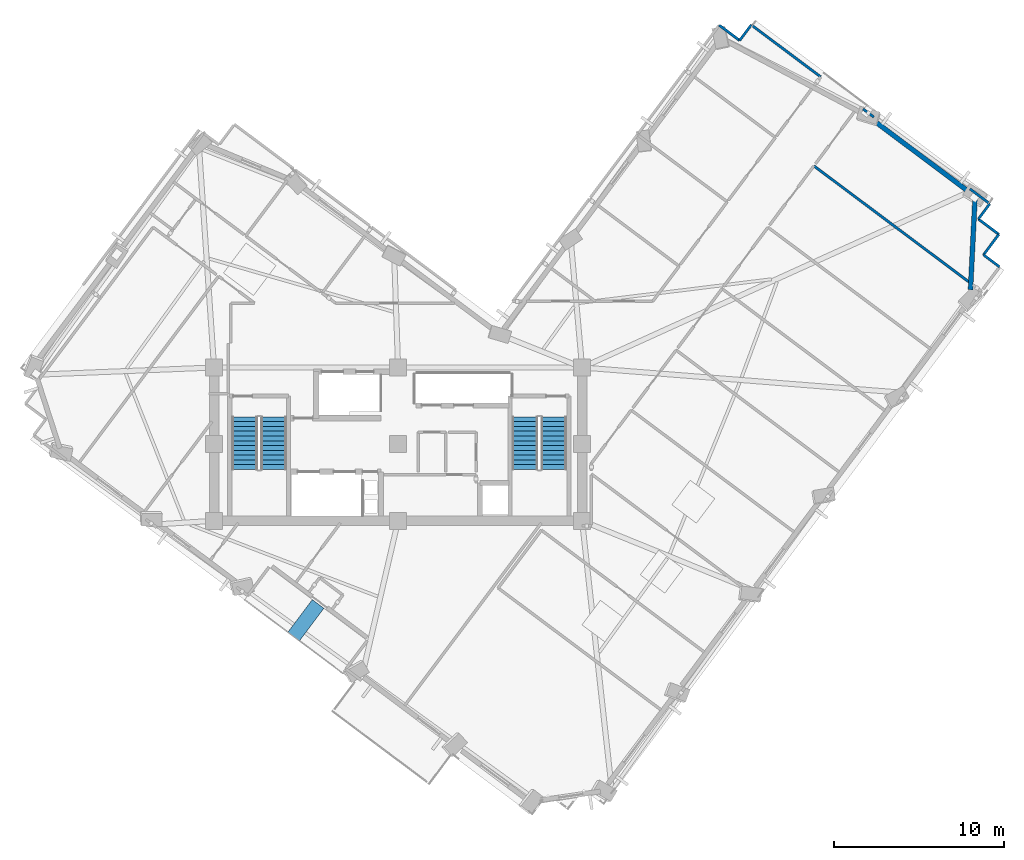
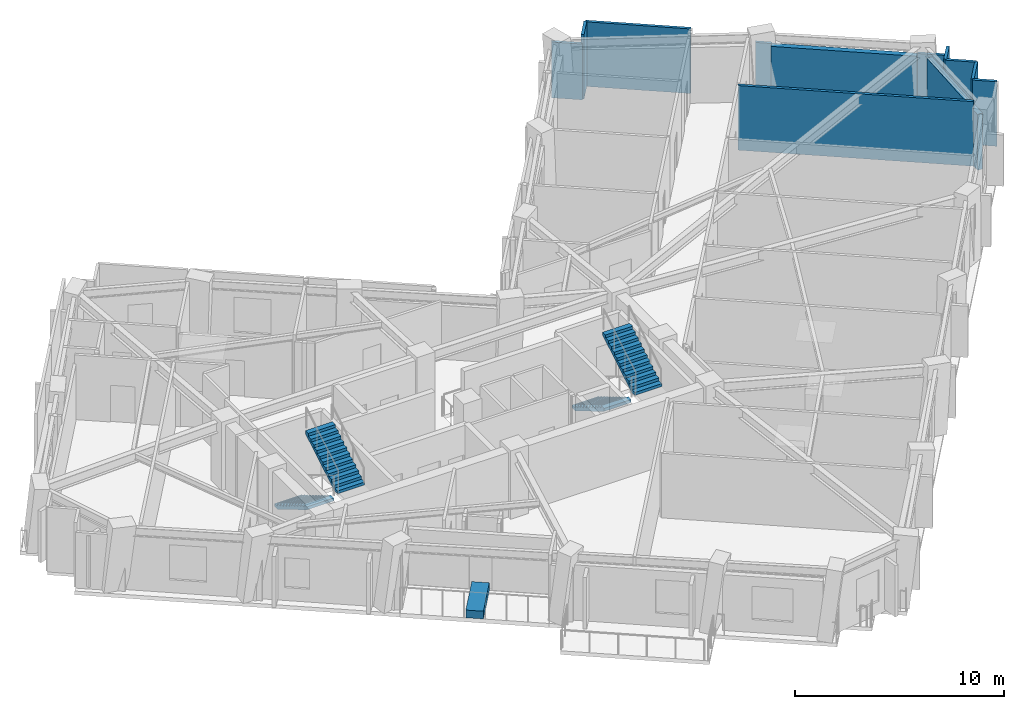
# One storey, part 7 of 12: 12 walls, 4 stair flights, 1 discrete accessory, 2 elements without a shape of their own.
"""IFC4 building model written with IfcOpenShell, lengths in metres."""

from ifc_helpers import new_model, si_unit, direction, frame, frame_2d, origin, origin_2d, place, context, subcontext, project, spatial, polyline, rectangle, outline, extrude, material, layer, layer_set, type_object, element, aggregate, save


model = new_model("IFC4")

# Units and contexts
model_context = context("Model", 3, precision=1e-05, world=origin(), true_north=direction((0.0, 1.0)))
body_context = subcontext(model_context, "Body", "Model", "MODEL_VIEW")
ifc_project = project(units=[si_unit("LENGTHUNIT", "METRE"), si_unit("AREAUNIT", "SQUARE_METRE"), si_unit("VOLUMEUNIT", "CUBIC_METRE"), si_unit("PLANEANGLEUNIT", "RADIAN"), si_unit("MASSUNIT", "GRAM", prefix="KILO")], contexts=[model_context])

# Site, building, storey
site_placement = place(None, origin())
site = spatial("IfcSite", under=ifc_project, at=site_placement, CompositionType="ELEMENT")
building_placement = place(site_placement, origin())
building = spatial("IfcBuilding", under=site, at=building_placement, Name="Gaonmaruhae Medical Tower", CompositionType="ELEMENT")
storey_placement = place(building_placement, frame((0.0, 0.0, 251.199951171875)))
storey = spatial("IfcBuildingStorey", under=building, at=storey_placement, Name="L60", CompositionType="ELEMENT", Elevation=251.199951171875)

# Walls
ifc_material_1 = material(Name="Precast concrete C45/55", Category="concrete")
ifc_layer_1 = layer(ifc_material_1, 0.280029296875)
ifc_layer_set_1 = layer_set([ifc_layer_1], Name="Precast concrete C45/55")
wall_type_1 = type_object("IfcWallType", Name="EW-280 Upper Precast Masonry-Frame Facade Wall", PredefinedType="SOLIDWALL", material=ifc_layer_set_1)
wall_1_placement = place(storey_placement, frame((58.658203125, 26.65087890625, 0.0), z_axis=(0.0, 0.0, 1.0), x_axis=(-0.049712214563, -0.998763583499, 0.0)))
element("IfcWall", 1, at=wall_1_placement, inside=storey, type_object=wall_type_1, Name="L60 Precast Masonry-Frame Wall S06-E01", PredefinedType="SOLIDWALL", context=body_context, shape_type="SweptSolid", body=[
    extrude(rectangle(XDim=5.294189453125, YDim=0.280029296875, at=frame_2d((2.64697265625, 0.0))), origin(), (0.0, 0.0, 1.0), 3.26513671875),
])
wall_2_placement = place(storey_placement, frame((52.62060546875, 31.3642578125, 0.0), z_axis=(0.0, 0.0, 1.0), x_axis=(0.800735308346, -0.599018335252, 0.0)))
element("IfcWall", 2, at=wall_2_placement, inside=storey, type_object=wall_type_1, Name="L60 Precast Masonry-Frame Wall E01-E02", PredefinedType="SOLIDWALL", context=body_context, shape_type="SweptSolid", body=[
    extrude(rectangle(XDim=7.04638671875, YDim=0.280029296875, at=frame_2d((3.523193359375, 0.0))), origin(), (0.0, 0.0, 1.0), 3.26513671875),
])
ifc_material_2 = material(Name="Gypsum board partition", Category="gypsum")
ifc_layer_2 = layer(ifc_material_2, 0.14990234375)
ifc_layer_set_2 = layer_set([ifc_layer_2], Name="Gypsum board partition")
wall_type_2 = type_object("IfcWallType", Name="PW-150 Rated Clinical Corridor Partition", PredefinedType="PARTITIONING", material=ifc_layer_set_2)
wall_3_placement = place(storey_placement, frame((49.2041015625, 28.631103515625, 0.0), z_axis=(0.0, 0.0, 1.0), x_axis=(0.800718737754, -0.599040485284, 0.0)))
element("IfcWall", 3, at=wall_3_placement, inside=storey, type_object=wall_type_2, Name="L60 Interior Partition L60-SUP09-27", PredefinedType="PARTITIONING", context=body_context, shape_type="SweptSolid", body=[
    extrude(rectangle(XDim=11.36328125, YDim=0.14990234375, at=frame_2d((5.681640625, 0.0))), origin(), (0.0, 0.0, 1.0), 3.780029296875),
])
wall_4_placement = place(storey_placement, frame((60.06005859375, 24.612060546875, 0.0), z_axis=(0.0, 0.0, 1.0), x_axis=(-0.598749024632, -0.800936705054, 0.0)))
element("IfcWall", 4, at=wall_4_placement, inside=storey, type_object=wall_type_2, Name="L60 Interior Partition L60-SUP10-30", PredefinedType="PARTITIONING", context=body_context, shape_type="SweptSolid", body=[
    extrude(rectangle(XDim=1.499755859375, YDim=0.14990234375, at=frame_2d((0.75, 0.0))), origin(), (0.0, 0.0, 1.0), 3.780029296875),
])
wall_5_placement = place(storey_placement, frame((59.162109375, 23.410888671875, 0.0), z_axis=(0.0, 0.0, 1.0), x_axis=(0.80074426189, -0.599006366452, 0.0)))
element("IfcWall", 5, at=wall_5_placement, inside=storey, type_object=wall_type_2, Name="L60 Interior Partition L60-SUP10-31", PredefinedType="PARTITIONING", context=body_context, shape_type="SweptSolid", body=[
    extrude(rectangle(XDim=1.179931640625, YDim=0.14990234375, at=frame_2d((0.58984375, 0.0))), origin(), (0.0, 0.0, 1.0), 3.780029296875),
])
wall_6_placement = place(storey_placement, frame((52.093017578125, 31.970947265625, 0.0), z_axis=(0.0, 0.0, 1.0), x_axis=(0.800447232512, -0.59940322652, 0.0)))
element("IfcWall", 6, at=wall_6_placement, inside=storey, type_object=wall_type_2, Name="L60 Interior Partition L60-SUP10-34", PredefinedType="PARTITIONING", context=body_context, shape_type="SweptSolid", body=[
    extrude(rectangle(XDim=0.78564453125, YDim=0.14990234375, at=frame_2d((0.392822265625, 0.0))), origin(), (0.0, 0.0, 1.0), 3.26513671875),
])
wall_7_placement = place(storey_placement, frame((58.364990234375, 27.280029296875, 0.0), z_axis=(0.0, 0.0, 1.0), x_axis=(0.800563329436, -0.59924815858, 0.0)))
element("IfcWall", 7, at=wall_7_placement, inside=storey, type_object=wall_type_2, Name="L60 Interior Partition L60-SUP10-35", PredefinedType="PARTITIONING", context=body_context, shape_type="SweptSolid", body=[
    extrude(rectangle(XDim=1.455322265625, YDim=0.14990234375, at=frame_2d((0.7275390625, 0.0))), origin(), (0.0, 0.0, 1.0), 3.26513671875),
])
wall_8_placement = place(storey_placement, frame((59.530029296875, 26.407958984375, 0.0), z_axis=(0.0, 0.0, 1.0), x_axis=(-0.599093020706, -0.800679431821, 0.0)))
element("IfcWall", 8, at=wall_8_placement, inside=storey, type_object=wall_type_2, Name="L60 Interior Partition L60-SUP10-36", PredefinedType="PARTITIONING", context=body_context, shape_type="SweptSolid", body=[
    extrude(rectangle(XDim=1.120361328125, YDim=0.14990234375, at=frame_2d((0.56005859375, 0.0))), origin(), (0.0, 0.0, 1.0), 3.780029296875),
])
wall_9_placement = place(storey_placement, frame((58.85888671875, 25.510986328125, 0.0), z_axis=(0.0, 0.0, 1.0), x_axis=(0.800624443757, -0.599166504454, 0.0)))
element("IfcWall", 9, at=wall_9_placement, inside=storey, type_object=wall_type_2, Name="L60 Interior Partition L60-SUP10-37", PredefinedType="PARTITIONING", context=body_context, shape_type="SweptSolid", body=[
    extrude(rectangle(XDim=1.500244140625, YDim=0.14990234375, at=frame_2d((0.75, 0.0))), origin(), (0.0, 0.0, 1.0), 3.780029296875),
])
wall_10_placement = place(storey_placement, frame((44.845947265625, 35.993896484375, 0.0), z_axis=(0.0, 0.0, 1.0), x_axis=(0.599040418987, 0.800718787353, 0.0)))
element("IfcWall", 10, at=wall_10_placement, inside=storey, type_object=wall_type_2, Name="L60 Interior Partition L60-IE06-77", PredefinedType="PARTITIONING", context=body_context, shape_type="SweptSolid", body=[
    extrude(rectangle(XDim=1.140380859375, YDim=0.14990234375, at=frame_2d((0.5703125, 0.0))), origin(), (0.0, 0.0, 1.0), 3.780029296875),
])
wall_11_placement = place(storey_placement, frame((45.529052734375, 36.906982421875, 0.0), z_axis=(0.0, 0.0, 1.0), x_axis=(0.800741854333, -0.599009584831, 0.0)))
element("IfcWall", 11, at=wall_11_placement, inside=storey, type_object=wall_type_2, Name="L60 Interior Partition L60-IE06-78", PredefinedType="PARTITIONING", context=body_context, shape_type="SweptSolid", body=[
    extrude(rectangle(XDim=5.090087890625, YDim=0.14990234375, at=frame_2d((2.544921875, 0.0))), origin(), (0.0, 0.0, 1.0), 3.780029296875),
])
wall_12_placement = place(storey_placement, frame((43.64501953125, 36.89208984375, 0.0), z_axis=(0.0, 0.0, 1.0), x_axis=(0.800800250223, -0.598931514651, 0.0)))
element("IfcWall", 12, at=wall_12_placement, inside=storey, type_object=wall_type_2, Name="L60 Interior Partition L60-IE06-82", PredefinedType="PARTITIONING", context=body_context, shape_type="SweptSolid", body=[
    extrude(rectangle(XDim=1.499755859375, YDim=0.14990234375, at=frame_2d((0.75, 0.0))), origin(), (0.0, 0.0, 1.0), 3.26513671875),
])

# Stair, stair flights
ifc_material_3 = material(Name="Concrete C40/50", Category="concrete")
stair_type = type_object("IfcStairType", Name="ST-T1 Primary Core Escape Dogleg Stair", PredefinedType="TWO_QUARTER_TURN_STAIR", material=ifc_material_3)
stair_1_placement = place(storey_placement, origin())
stair_1 = element("IfcStair", 13, at=stair_1_placement, inside=storey, type_object=stair_type, Name="L60 Protected Escape Stair ST-01", PredefinedType="TWO_QUARTER_TURN_STAIR")
stair_flight_type = type_object("IfcStairFlightType", Name="SF-T1 Primary Core Precast Stair Flight", PredefinedType="STRAIGHT", material=ifc_material_3)
stair_flight_1_placement = place(storey_placement, frame((15.800048828125, 13.89990234375, 0.0), z_axis=(0.0, 0.0, 1.0), x_axis=(0.0, -1.0, 0.0)))
stair_flight_1 = element("IfcStairFlight", 14, at=stair_flight_1_placement, type_object=stair_flight_type, Name="ST-01 flight 1", NumberOfRisers=12, NumberOfTreads=11, PredefinedType="STRAIGHT", RiserHeight=0.166666667, TreadLength=0.28, context=body_context, shape_type="SweptSolid", body=[
    extrude(outline(polyline([(0.0, 0.0), (0.0, 0.166748046875), (0.280029296875, 0.166748046875), (0.280029296875, 0.333251953125), (0.56005859375, 0.333251953125), (0.56005859375, 0.5), (0.840087890625, 0.5), (0.840087890625, 0.666748046875), (1.1201171875, 0.666748046875), (1.1201171875, 0.833251953125), (1.39990234375, 0.833251953125), (1.39990234375, 1.0), (1.679931640625, 1.0), (1.679931640625, 1.166748046875), (1.9599609375, 1.166748046875), (1.9599609375, 1.333251953125), (2.239990234375, 1.333251953125), (2.239990234375, 1.5), (2.52001953125, 1.5), (2.52001953125, 1.666748046875), (2.800048828125, 1.666748046875), (2.800048828125, 1.833251953125), (3.080078125, 1.833251953125), (3.080078125, 2.0), (3.080078125, 1.658935546875), (0.29296875, 0.0), (0.0, 0.0)])), frame((0.0, 0.75, 0.0), z_axis=(0.0, -1.0, 0.0), x_axis=(1.0, 0.0, 0.0)), (0.0, 0.0, 1.0), 1.5),
])
stair_flight_2_placement = place(storey_placement, frame((17.5, 10.820068359375, 2.0), z_axis=(0.0, 0.0, 1.0), x_axis=(0.0, 1.0, 0.0)))
stair_flight_2 = element("IfcStairFlight", 15, at=stair_flight_2_placement, type_object=stair_flight_type, Name="ST-01 flight 2", NumberOfRisers=12, NumberOfTreads=11, PredefinedType="STRAIGHT", RiserHeight=0.166666667, TreadLength=0.28, context=body_context, shape_type="SweptSolid", body=[
    extrude(outline(polyline([(0.0, 0.0), (0.0, 0.166748046875), (0.280029296875, 0.166748046875), (0.280029296875, 0.333251953125), (0.56005859375, 0.333251953125), (0.56005859375, 0.5), (0.840087890625, 0.5), (0.840087890625, 0.666748046875), (1.1201171875, 0.666748046875), (1.1201171875, 0.833251953125), (1.39990234375, 0.833251953125), (1.39990234375, 1.0), (1.679931640625, 1.0), (1.679931640625, 1.166748046875), (1.9599609375, 1.166748046875), (1.9599609375, 1.333251953125), (2.239990234375, 1.333251953125), (2.239990234375, 1.5), (2.52001953125, 1.5), (2.52001953125, 1.666748046875), (2.800048828125, 1.666748046875), (2.800048828125, 1.833251953125), (3.080078125, 1.833251953125), (3.080078125, 2.0), (3.080078125, 1.658935546875), (0.29296875, 0.0), (0.0, 0.0)])), frame((0.0, 0.75, 0.0), z_axis=(0.0, -1.0, 0.0), x_axis=(1.0, 0.0, 0.0)), (0.0, 0.0, 1.0), 1.5),
])
aggregate(stair_1, [stair_flight_1, stair_flight_2])

stair_2_placement = place(storey_placement, origin())
stair_2 = element("IfcStair", 16, at=stair_2_placement, inside=storey, type_object=stair_type, Name="L60 Protected Escape Stair ST-02", PredefinedType="TWO_QUARTER_TURN_STAIR")
stair_flight_3_placement = place(storey_placement, frame((32.25, 13.89990234375, 0.0), z_axis=(0.0, 0.0, 1.0), x_axis=(0.0, -1.0, 0.0)))
stair_flight_3 = element("IfcStairFlight", 17, at=stair_flight_3_placement, type_object=stair_flight_type, Name="ST-02 flight 1", NumberOfRisers=12, NumberOfTreads=11, PredefinedType="STRAIGHT", RiserHeight=0.166666667, TreadLength=0.28, context=body_context, shape_type="SweptSolid", body=[
    extrude(outline(polyline([(0.0, 0.0), (0.0, 0.166748046875), (0.280029296875, 0.166748046875), (0.280029296875, 0.333251953125), (0.56005859375, 0.333251953125), (0.56005859375, 0.5), (0.840087890625, 0.5), (0.840087890625, 0.666748046875), (1.1201171875, 0.666748046875), (1.1201171875, 0.833251953125), (1.39990234375, 0.833251953125), (1.39990234375, 1.0), (1.679931640625, 1.0), (1.679931640625, 1.166748046875), (1.9599609375, 1.166748046875), (1.9599609375, 1.333251953125), (2.239990234375, 1.333251953125), (2.239990234375, 1.5), (2.52001953125, 1.5), (2.52001953125, 1.666748046875), (2.800048828125, 1.666748046875), (2.800048828125, 1.833251953125), (3.080078125, 1.833251953125), (3.080078125, 2.0), (3.080078125, 1.658935546875), (0.29296875, 0.0), (0.0, 0.0)])), frame((0.0, 0.75, 0.0), z_axis=(0.0, -1.0, 0.0), x_axis=(1.0, 0.0, 0.0)), (0.0, 0.0, 1.0), 1.5),
])
stair_flight_4_placement = place(storey_placement, frame((33.949951171875, 10.820068359375, 2.0), z_axis=(0.0, 0.0, 1.0), x_axis=(0.0, 1.0, 0.0)))
stair_flight_4 = element("IfcStairFlight", 18, at=stair_flight_4_placement, type_object=stair_flight_type, Name="ST-02 flight 2", NumberOfRisers=12, NumberOfTreads=11, PredefinedType="STRAIGHT", RiserHeight=0.166666667, TreadLength=0.28, context=body_context, shape_type="SweptSolid", body=[
    extrude(outline(polyline([(0.0, 0.0), (0.0, 0.166748046875), (0.280029296875, 0.166748046875), (0.280029296875, 0.333251953125), (0.56005859375, 0.333251953125), (0.56005859375, 0.5), (0.840087890625, 0.5), (0.840087890625, 0.666748046875), (1.1201171875, 0.666748046875), (1.1201171875, 0.833251953125), (1.39990234375, 0.833251953125), (1.39990234375, 1.0), (1.679931640625, 1.0), (1.679931640625, 1.166748046875), (1.9599609375, 1.166748046875), (1.9599609375, 1.333251953125), (2.239990234375, 1.333251953125), (2.239990234375, 1.5), (2.52001953125, 1.5), (2.52001953125, 1.666748046875), (2.800048828125, 1.666748046875), (2.800048828125, 1.833251953125), (3.080078125, 1.833251953125), (3.080078125, 2.0), (3.080078125, 1.658935546875), (0.29296875, 0.0), (0.0, 0.0)])), frame((0.0, 0.75, 0.0), z_axis=(0.0, -1.0, 0.0), x_axis=(1.0, 0.0, 0.0)), (0.0, 0.0, 1.0), 1.5),
])
aggregate(stair_2, [stair_flight_3, stair_flight_4])

# Discrete accessory
discrete_accessory_type = type_object("IfcDiscreteAccessoryType", Name="PLN-01 Sky Garden Precast Botanical Planter", PredefinedType="USERDEFINED", material=ifc_material_1)
discrete_accessory_placement = place(storey_placement, frame((19.3876953125, 1.962646484375, 0.0), z_axis=(0.0, 0.0, 1.0), x_axis=(0.599023598516, 0.800731370949, 0.0)))
element("IfcDiscreteAccessory", 19, at=discrete_accessory_placement, inside=storey, type_object=discrete_accessory_type, Name="L60 Sky Garden Botanical Planter SLB-L60-TER", ObjectType="PLANTER", PredefinedType="USERDEFINED", context=body_context, shape_type="SweptSolid", body=[
    extrude(rectangle(XDim=2.39990234375, YDim=0.85009765625, at=origin_2d()), origin(), (0.0, 0.0, 1.0), 0.449951171875),
])

save(model, "model.ifc")
